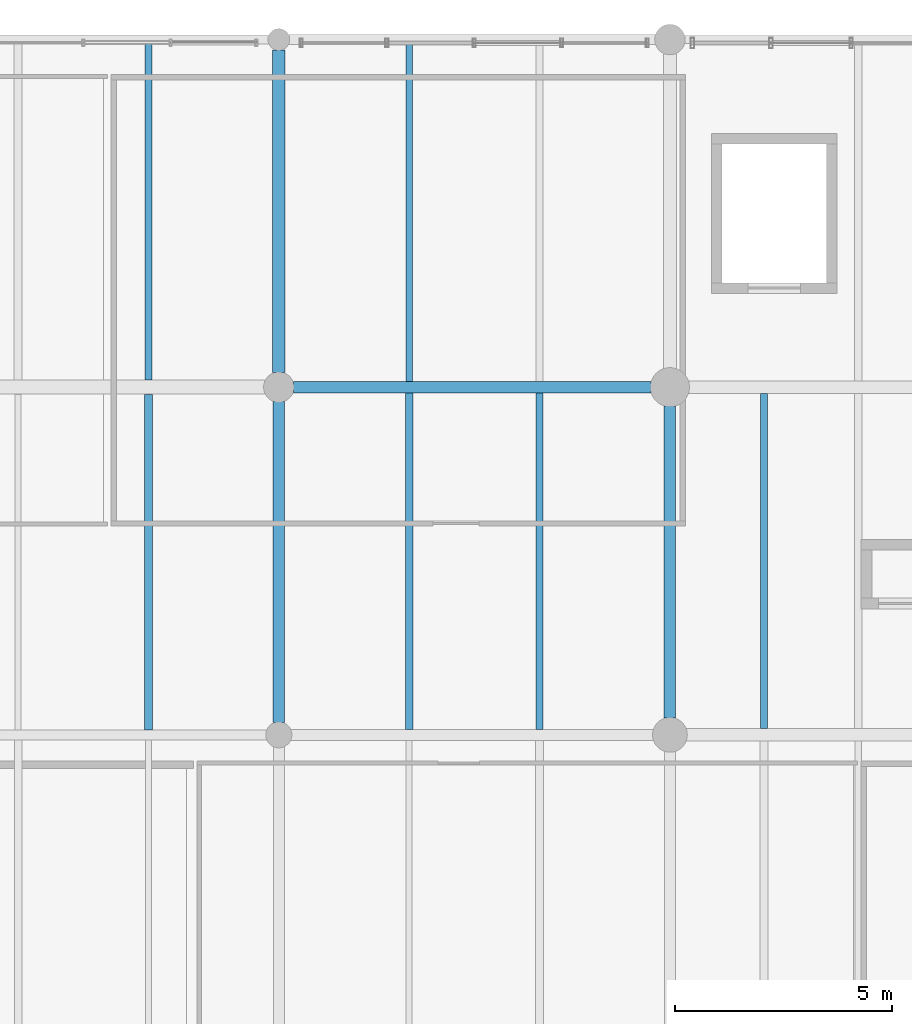
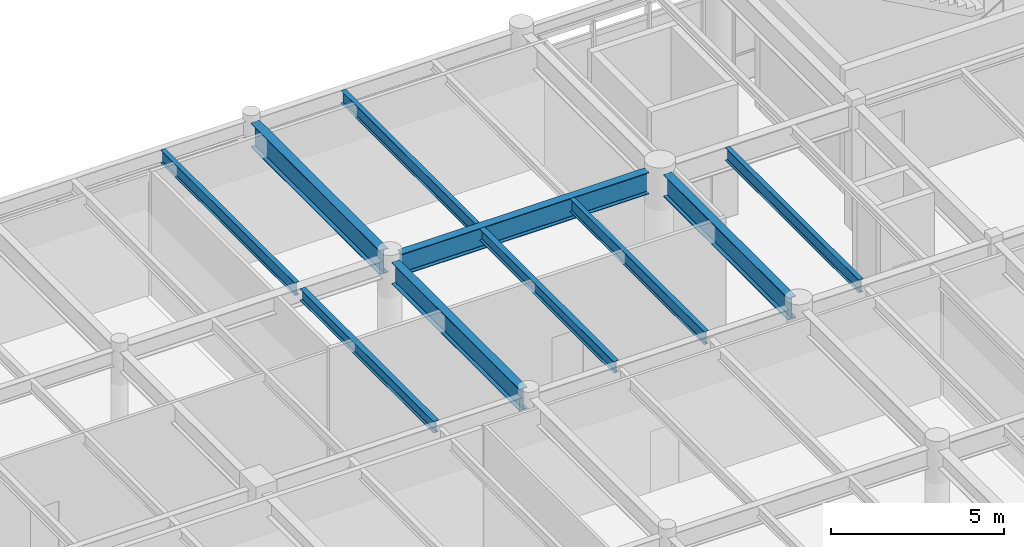
# One storey, part 90 of 168: 10 beams.
"""IFC4 building model written with IfcOpenShell, lengths in metres."""

from ifc_helpers import new_model, si_unit, direction, frame, origin, origin_2d, place, context, subcontext, project, spatial, i_section, extrude, material, material_profile, profile_set, type_object, element, save


model = new_model("IFC4")

# Units and contexts
model_context = context("Model", 3, precision=1e-05, world=origin(), true_north=direction((0.0, 1.0)))
body_context = subcontext(model_context, "Body", "Model", "MODEL_VIEW")
ifc_project = project(units=[si_unit("LENGTHUNIT", "METRE"), si_unit("AREAUNIT", "SQUARE_METRE"), si_unit("VOLUMEUNIT", "CUBIC_METRE"), si_unit("PLANEANGLEUNIT", "RADIAN"), si_unit("MASSUNIT", "GRAM", prefix="KILO"), si_unit("THERMODYNAMICTEMPERATUREUNIT", "KELVIN"), si_unit("POWERUNIT", "WATT")], contexts=[model_context])

# Site, building, storey
site_placement = place(None, origin())
site = spatial("IfcSite", under=ifc_project, at=site_placement, CompositionType="ELEMENT")
building_placement = place(site_placement, origin())
building = spatial("IfcBuilding", under=site, at=building_placement, Name="Tepalcoro Natatorium and Aquatics Centre", CompositionType="ELEMENT")
storey_placement = place(building_placement, frame((0.0, 0.0, 10.199951171875)))
storey = spatial("IfcBuildingStorey", under=building, at=storey_placement, Name="L02", CompositionType="ELEMENT", Elevation=10.199951171875)

# Beams
ifc_material = material(Name="Steel ASTM A992 Grade 50 (Fy 345 MPa)", Category="steel")
ifc_material_profile_1 = material_profile(ifc_material, i_section(OverallWidth=0.26708984375, OverallDepth=0.761962890625, WebThickness=0.013916015625, FlangeThickness=0.02197265625, FilletRadius=0.013916015625, at=origin_2d()), Name="W30X116")
ifc_profile_set_1 = profile_set([ifc_material_profile_1], Name="Steel ASTM A992 Grade 50 (Fy 345 MPa)")
beam_type_1 = type_object("IfcBeamType", Name="BM_W30x116", PredefinedType="BEAM", material=ifc_profile_set_1)
beam_1_placement = place(storey_placement, frame((116.3349609375, 110.0, 3.984130859375), z_axis=(1.0, 0.0, 0.0), x_axis=(0.0, 1.0, 0.0)))
element("IfcBeam", 1, at=beam_1_placement, inside=storey, type_object=beam_type_1, Name="V5 L02 Grid Girder X", PredefinedType="BEAM", context=body_context, shape_type="SweptSolid", body=[
    extrude(i_section(OverallWidth=0.26708984375, OverallDepth=0.761962890625, WebThickness=0.013916015625, FlangeThickness=0.02197265625, FilletRadius=0.013916015625, at=origin_2d()), origin(), (0.0, 0.0, 1.0), 8.22998046875),
])
beam_2_placement = place(storey_placement, frame((116.0, 102.284912109375, 3.984130859375), z_axis=(0.0, 1.0, 0.0), x_axis=(-1.0, 0.0, 0.0)))
element("IfcBeam", 2, at=beam_2_placement, inside=storey, type_object=beam_type_1, Name="V5 L02 Grid Girder Y", PredefinedType="BEAM", context=body_context, shape_type="SweptSolid", body=[
    extrude(i_section(OverallWidth=0.26708984375, OverallDepth=0.761962890625, WebThickness=0.013916015625, FlangeThickness=0.02197265625, FilletRadius=0.013916015625, at=origin_2d()), origin(), (0.0, 0.0, 1.0), 7.380126953125),
])
ifc_material_profile_2 = material_profile(ifc_material, i_section(OverallWidth=0.26708984375, OverallDepth=0.780029296875, WebThickness=0.01708984375, FlangeThickness=0.030029296875, FilletRadius=0.013916015625, at=origin_2d()), Name="W30X148")
ifc_profile_set_2 = profile_set([ifc_material_profile_2], Name="Steel ASTM A992 Grade 50 (Fy 345 MPa)")
beam_type_2 = type_object("IfcBeamType", Name="BM_W30x148", PredefinedType="BEAM", material=ifc_profile_set_2)
beam_3_placement = place(storey_placement, frame((125.0, 102.385009765625, 3.97509765625), z_axis=(0.0, 1.0, 0.0), x_axis=(-1.0, 0.0, 0.0)))
element("IfcBeam", 3, at=beam_3_placement, inside=storey, type_object=beam_type_2, Name="V5 L02 Grid Girder Y", PredefinedType="BEAM", context=body_context, shape_type="SweptSolid", body=[
    extrude(i_section(OverallWidth=0.26708984375, OverallDepth=0.780029296875, WebThickness=0.01708984375, FlangeThickness=0.030029296875, FilletRadius=0.013916015625, at=origin_2d()), origin(), (0.0, 0.0, 1.0), 7.179931640625),
])
ifc_material_profile_3 = material_profile(ifc_material, i_section(OverallWidth=0.2919921875, OverallDepth=0.845947265625, WebThickness=0.014892578125, FlangeThickness=0.02392578125, FilletRadius=0.013916015625, at=origin_2d()), Name="W33X141")
ifc_profile_set_3 = profile_set([ifc_material_profile_3], Name="Steel ASTM A992 Grade 50 (Fy 345 MPa)")
beam_type_3 = type_object("IfcBeamType", Name="BM_W33x141", PredefinedType="BEAM", material=ifc_profile_set_3)
beam_4_placement = place(storey_placement, frame((116.0, 110.3349609375, 3.942138671875), z_axis=(0.0, 1.0, 0.0), x_axis=(-1.0, 0.0, 0.0)))
element("IfcBeam", 4, at=beam_4_placement, inside=storey, type_object=beam_type_3, Name="V5 L02 Grid Girder Y", PredefinedType="BEAM", context=body_context, shape_type="SweptSolid", body=[
    extrude(i_section(OverallWidth=0.2919921875, OverallDepth=0.845947265625, WebThickness=0.014892578125, FlangeThickness=0.02392578125, FilletRadius=0.013916015625, at=origin_2d()), origin(), (0.0, 0.0, 1.0), 7.429931640625),
])
ifc_material_profile_4 = material_profile(ifc_material, i_section(OverallWidth=0.178955078125, OverallDepth=0.409912109375, WebThickness=0.009033203125, FlangeThickness=0.013916015625, FilletRadius=0.013916015625, at=origin_2d()), Name="W16X45")
ifc_profile_set_4 = profile_set([ifc_material_profile_4], Name="Steel ASTM A992 Grade 50 (Fy 345 MPa)")
beam_type_4 = type_object("IfcBeamType", Name="JS_W16x45", PredefinedType="JOIST", material=ifc_profile_set_4)
beam_5_placement = place(storey_placement, frame((113.0, 102.114990234375, 4.16015625), z_axis=(0.0, 1.0, 0.0), x_axis=(-1.0, 0.0, 0.0)))
element("IfcBeam", 5, at=beam_5_placement, inside=storey, type_object=beam_type_4, Name="V5 L02 Floor Joist", PredefinedType="JOIST", context=body_context, shape_type="SweptSolid", body=[
    extrude(i_section(OverallWidth=0.178955078125, OverallDepth=0.409912109375, WebThickness=0.009033203125, FlangeThickness=0.013916015625, FilletRadius=0.013916015625, at=origin_2d()), origin(), (0.0, 0.0, 1.0), 7.722412109375),
])
beam_6_placement = place(storey_placement, frame((119.0, 102.126953125, 4.16015625), z_axis=(0.0, 1.0, 0.0), x_axis=(-1.0, 0.0, 0.0)))
element("IfcBeam", 6, at=beam_6_placement, inside=storey, type_object=beam_type_4, Name="V5 L02 Floor Joist", PredefinedType="JOIST", context=body_context, shape_type="SweptSolid", body=[
    extrude(i_section(OverallWidth=0.178955078125, OverallDepth=0.409912109375, WebThickness=0.009033203125, FlangeThickness=0.013916015625, FilletRadius=0.013916015625, at=origin_2d()), origin(), (0.0, 0.0, 1.0), 7.739501953125),
])
ifc_material_profile_5 = material_profile(ifc_material, i_section(OverallWidth=0.153076171875, OverallDepth=0.455078125, WebThickness=0.008056640625, FlangeThickness=0.012939453125, FilletRadius=0.013916015625, at=origin_2d()), Name="W18X40")
ifc_profile_set_5 = profile_set([ifc_material_profile_5], Name="Steel ASTM A992 Grade 50 (Fy 345 MPa)")
beam_type_5 = type_object("IfcBeamType", Name="JS_W18x40", PredefinedType="JOIST", material=ifc_profile_set_5)
beam_7_placement = place(storey_placement, frame((113.0, 110.16259765625, 4.137451171875), z_axis=(0.0, 1.0, 0.0), x_axis=(-1.0, 0.0, 0.0)))
element("IfcBeam", 7, at=beam_7_placement, inside=storey, type_object=beam_type_5, Name="V5 L02 Floor Joist", PredefinedType="JOIST", context=body_context, shape_type="SweptSolid", body=[
    extrude(i_section(OverallWidth=0.153076171875, OverallDepth=0.455078125, WebThickness=0.008056640625, FlangeThickness=0.012939453125, FilletRadius=0.013916015625, at=origin_2d()), origin(), (0.0, 0.0, 1.0), 7.732421875),
])
beam_8_placement = place(storey_placement, frame((122.0, 102.126953125, 4.137451171875), z_axis=(0.0, 1.0, 0.0), x_axis=(-1.0, 0.0, 0.0)))
element("IfcBeam", 8, at=beam_8_placement, inside=storey, type_object=beam_type_5, Name="V5 L02 Floor Joist", PredefinedType="JOIST", context=body_context, shape_type="SweptSolid", body=[
    extrude(i_section(OverallWidth=0.153076171875, OverallDepth=0.455078125, WebThickness=0.008056640625, FlangeThickness=0.012939453125, FilletRadius=0.013916015625, at=origin_2d()), origin(), (0.0, 0.0, 1.0), 7.739501953125),
])
beam_9_placement = place(storey_placement, frame((119.0, 110.133544921875, 4.137451171875), z_axis=(0.0, 1.0, 0.0), x_axis=(-1.0, 0.0, 0.0)))
element("IfcBeam", 9, at=beam_9_placement, inside=storey, type_object=beam_type_5, Name="V5 L02 Floor Joist", PredefinedType="JOIST", context=body_context, shape_type="SweptSolid", body=[
    extrude(i_section(OverallWidth=0.153076171875, OverallDepth=0.455078125, WebThickness=0.008056640625, FlangeThickness=0.012939453125, FilletRadius=0.013916015625, at=origin_2d()), origin(), (0.0, 0.0, 1.0), 7.751953125),
])
beam_10_placement = place(storey_placement, frame((127.166748046875, 102.14599609375, 4.137451171875), z_axis=(0.0, 1.0, 0.0), x_axis=(-1.0, 0.0, 0.0)))
element("IfcBeam", 10, at=beam_10_placement, inside=storey, type_object=beam_type_5, Name="V5 L02 Floor Joist", PredefinedType="JOIST", context=body_context, shape_type="SweptSolid", body=[
    extrude(i_section(OverallWidth=0.153076171875, OverallDepth=0.455078125, WebThickness=0.008056640625, FlangeThickness=0.012939453125, FilletRadius=0.013916015625, at=origin_2d()), origin(), (0.0, 0.0, 1.0), 7.7080078125),
])

save(model, "model.ifc")
